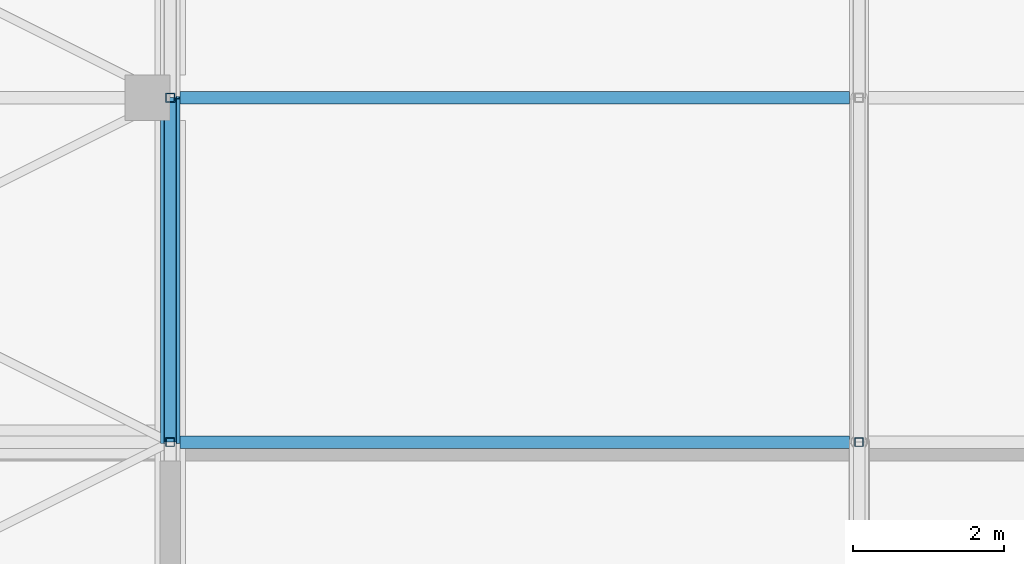
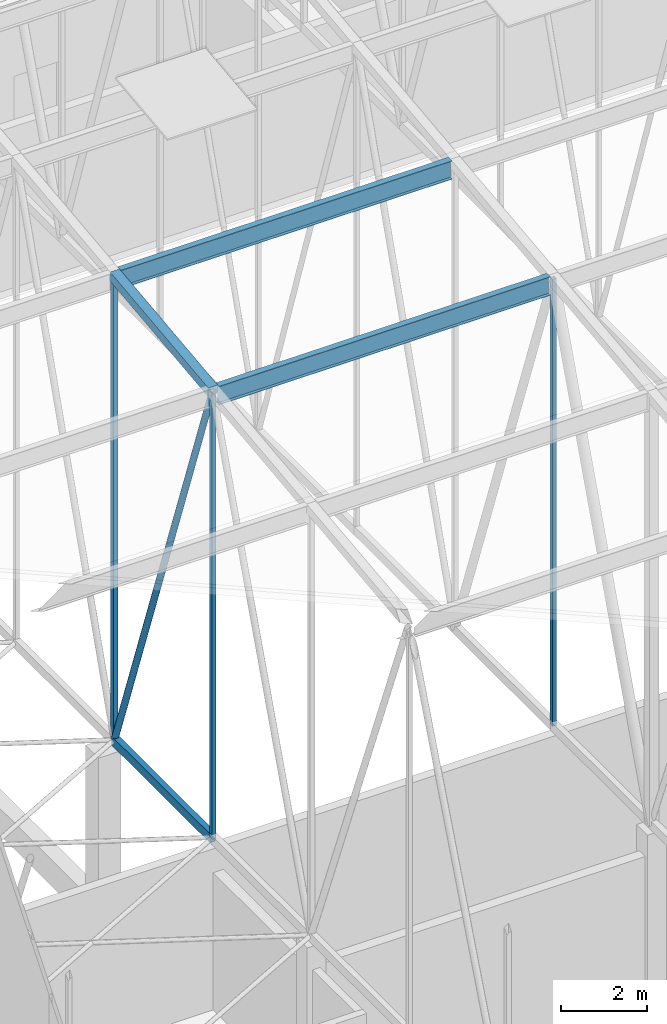
# One storey, part 67 of 500: 8 members.
"""IFC4 building model written with IfcOpenShell, lengths in metres."""

from ifc_helpers import new_model, si_unit, direction, frame, origin, origin_2d, place, context, subcontext, project, spatial, hollow_rectangle, hollow_circle, i_section, extrude, material, material_profile, profile_set, type_object, element, save


model = new_model("IFC4")

# Units and contexts
model_context = context("Model", 3, precision=1e-05, world=origin(), true_north=direction((0.0, 1.0)))
body_context = subcontext(model_context, "Body", "Model", "MODEL_VIEW")
ifc_project = project(units=[si_unit("LENGTHUNIT", "METRE"), si_unit("AREAUNIT", "SQUARE_METRE"), si_unit("VOLUMEUNIT", "CUBIC_METRE"), si_unit("PLANEANGLEUNIT", "RADIAN"), si_unit("MASSUNIT", "GRAM", prefix="KILO")], contexts=[model_context])

# Site, building, storey
site_placement = place(None, origin())
site = spatial("IfcSite", under=ifc_project, at=site_placement, CompositionType="ELEMENT")
building_placement = place(site_placement, origin())
building = spatial("IfcBuilding", under=site, at=building_placement, Name="Shirokan Park Arena", CompositionType="ELEMENT")
storey_placement = place(building_placement, frame((0.0, 0.0, 29.1201171875)))
storey = spatial("IfcBuildingStorey", under=building, at=storey_placement, Name="L06", CompositionType="ELEMENT", Elevation=29.1201171875)

# Members
ifc_material_1 = material(Name="Steel ASTM A500 Grade C", Category="steel")
ifc_material_profile_1 = material_profile(ifc_material_1, hollow_rectangle(XDim=0.152099609375, YDim=0.25390625, WallThickness=0.009521484375, at=origin_2d()), Name="HSS254X152.4X9.5")
ifc_profile_set_1 = profile_set([ifc_material_profile_1], Name="Steel ASTM A500 Grade C")
member_type_1 = type_object("IfcMemberType", Name="Bottom chord HSS254X152.4X9.5", PredefinedType="CHORD", material=ifc_profile_set_1)
member_1_placement = place(storey_placement, frame((9.10009765625, 40.949951171875, 4.677001953125), z_axis=(0.0, 1.0, 0.0), x_axis=(-1.0, 0.0, 0.0)))
element("IfcMember", 1, at=member_1_placement, inside=storey, type_object=member_type_1, Name="Truss T02 bottom chord 12", PredefinedType="CHORD", context=body_context, shape_type="SweptSolid", body=[
    extrude(hollow_rectangle(XDim=0.152099609375, YDim=0.25390625, WallThickness=0.009521484375, at=origin_2d()), origin(), (0.0, 0.0, 1.0), 4.550048828125),
])
ifc_material_2 = material(Name="Steel ASTM A992", Category="steel")
ifc_material_profile_2 = material_profile(ifc_material_2, i_section(OverallWidth=0.166015625, OverallDepth=0.528076171875, WebThickness=0.009765625, FlangeThickness=0.013671875, at=origin_2d()), Name="W530X74")
ifc_profile_set_2 = profile_set([ifc_material_profile_2], Name="Steel ASTM A992")
member_type_2 = type_object("IfcMemberType", Name="Purlin W530X74", PredefinedType="PURLIN", material=ifc_profile_set_2)
for number, where, z_axis, x_axis, name in (
    (2, (9.22705078125, 40.949951171875, 17.165771484375), (1.0, 0.0, 0.0), (0.0, 1.0, 0.0), "Purlin 12 bay 2"),
    (3, (9.22705078125, 45.5, 17.685791015625), (1.0, 0.0, 0.0), (0.0, 1.0, 0.0), "Purlin 13 bay 2"),
):
    element("IfcMember", number, at=place(storey_placement, frame(where, z_axis=z_axis, x_axis=x_axis)), inside=storey, type_object=member_type_2, Name=name, PredefinedType="PURLIN", context=body_context, shape_type="SweptSolid", body=[
        extrude(i_section(OverallWidth=0.166015625, OverallDepth=0.528076171875, WebThickness=0.009765625, FlangeThickness=0.013671875, at=origin_2d()), origin(), (0.0, 0.0, 1.0), 8.845947265625),
    ])
ifc_material_profile_3 = material_profile(ifc_material_1, hollow_rectangle(XDim=0.25390625, YDim=0.25390625, WallThickness=0.009521484375, at=origin_2d()), Name="HSS254X254X9.5")
ifc_profile_set_3 = profile_set([ifc_material_profile_3], Name="Steel ASTM A500 Grade C")
member_type_3 = type_object("IfcMemberType", Name="Top chord HSS254X254X9.5", PredefinedType="CHORD", material=ifc_profile_set_3)
member_2_placement = place(storey_placement, frame((9.10009765625, 40.949951171875, 17.302978515625), z_axis=(0.0, 0.993532328996, 0.113549598152), x_axis=(-1.0, 0.0, 0.0)))
element("IfcMember", 4, at=member_2_placement, inside=storey, type_object=member_type_3, Name="Truss T02 top chord 12", PredefinedType="CHORD", context=body_context, shape_type="SweptSolid", body=[
    extrude(hollow_rectangle(XDim=0.25390625, YDim=0.25390625, WallThickness=0.009521484375, at=origin_2d()), origin(), (0.0, 0.0, 1.0), 4.57958984375),
])
ifc_material_profile_4 = material_profile(ifc_material_1, hollow_circle(Radius=0.083984375, WallThickness=0.009521484375, at=origin_2d()), Name="HSS168.3X9.5")
ifc_profile_set_4 = profile_set([ifc_material_profile_4], Name="Steel ASTM A500 Grade C")
member_type_4 = type_object("IfcMemberType", Name="Truss diagonal HSS168.3X9.5", PredefinedType="BRACE", material=ifc_profile_set_4)
member_3_placement = place(storey_placement, frame((9.10009765625, 40.949951171875, 17.302978515625), z_axis=(0.0, 0.339029292845, -0.940775817394), x_axis=(-1.0, 0.0, 0.0)))
element("IfcMember", 5, at=member_3_placement, inside=storey, type_object=member_type_4, Name="Truss T02 diagonal 12", PredefinedType="BRACE", context=body_context, shape_type="SweptSolid", body=[
    extrude(hollow_circle(Radius=0.083984375, WallThickness=0.009521484375, at=origin_2d()), origin(), (0.0, 0.0, 1.0), 13.4208984375),
])
ifc_material_profile_5 = material_profile(ifc_material_1, hollow_rectangle(XDim=0.114013671875, YDim=0.114013671875, WallThickness=0.00634765625, at=origin_2d()), Name="HSS114.3X114.3X6.4")
ifc_profile_set_5 = profile_set([ifc_material_profile_5], Name="Steel ASTM A500 Grade C")
member_type_5 = type_object("IfcMemberType", Name="Truss post HSS114.3X114.3X6.4", PredefinedType="POST", material=ifc_profile_set_5)
for number, where, z_axis, x_axis, name in (
    (6, (9.10009765625, 40.949951171875, 4.677001953125), (0.0, 0.0, 1.0), (1.0, 0.0, 0.0), "Truss T02 post 12"),
    (7, (18.199951171875, 40.949951171875, 4.677001953125), (0.0, 0.0, 1.0), (1.0, 0.0, 0.0), "Truss T03 post 12"),
):
    element("IfcMember", number, at=place(storey_placement, frame(where, z_axis=z_axis, x_axis=x_axis)), inside=storey, type_object=member_type_5, Name=name, PredefinedType="POST", context=body_context, shape_type="SweptSolid", body=[
        extrude(hollow_rectangle(XDim=0.114013671875, YDim=0.114013671875, WallThickness=0.00634765625, at=origin_2d()), origin(), (0.0, 0.0, 1.0), 12.6259765625),
    ])
ifc_material_profile_6 = material_profile(ifc_material_1, hollow_rectangle(XDim=0.126953125, YDim=0.126953125, WallThickness=0.0126953125, at=origin_2d()), Name="HSS127X127X12.7")
ifc_profile_set_6 = profile_set([ifc_material_profile_6], Name="Steel ASTM A500 Grade C")
member_type_6 = type_object("IfcMemberType", Name="Truss post HSS127X127X12.7", PredefinedType="POST", material=ifc_profile_set_6)
member_4_placement = place(storey_placement, frame((9.10009765625, 45.5, 4.677001953125), z_axis=(0.0, 0.0, 1.0), x_axis=(1.0, 0.0, 0.0)))
element("IfcMember", 8, at=member_4_placement, inside=storey, type_object=member_type_6, Name="Truss T02 post 13", PredefinedType="POST", context=body_context, shape_type="SweptSolid", body=[
    extrude(hollow_rectangle(XDim=0.126953125, YDim=0.126953125, WallThickness=0.0126953125, at=origin_2d()), origin(), (0.0, 0.0, 1.0), 13.14599609375),
])

save(model, "model.ifc")
